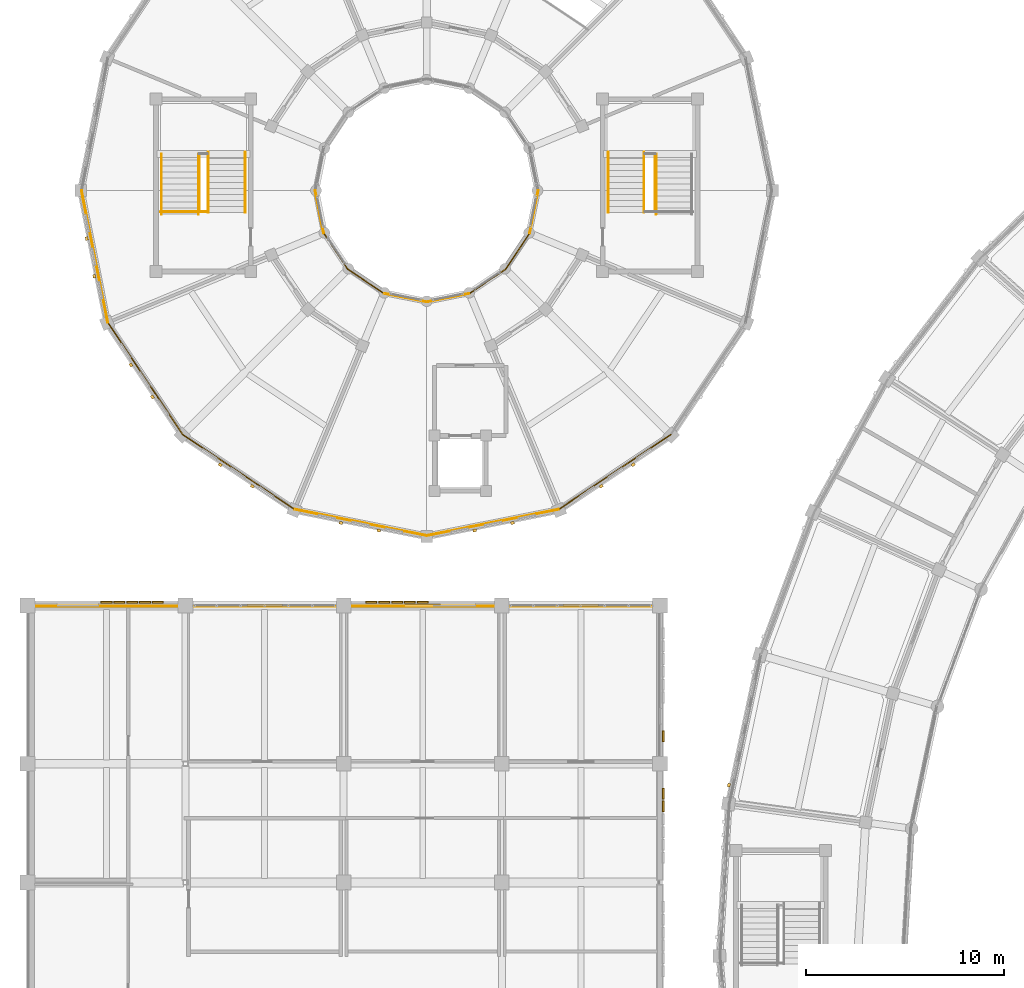
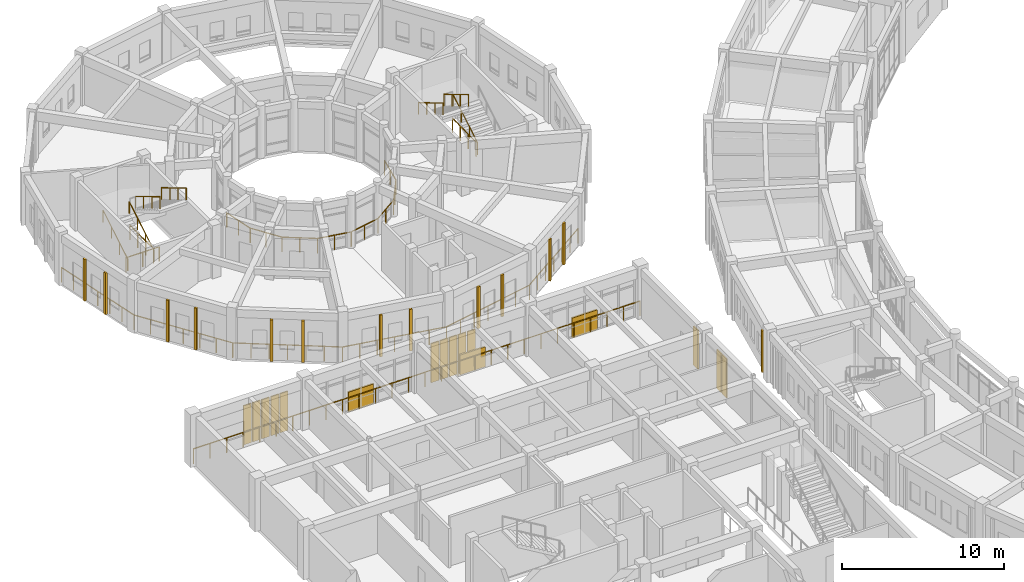
# One storey, part 147 of 159: 25 railings, 16 shading devices, 13 coverings.
"""IFC4 building model written with IfcOpenShell, lengths in metres."""

from ifc_helpers import new_model, si_unit, direction, frame, origin, origin_2d, place, context, subcontext, project, spatial, rectangle, circle, extrude, material, layer, layer_set, type_object, element, save


model = new_model("IFC4")

# Units and contexts
model_context = context("Model", 3, precision=1e-05, world=origin(), true_north=direction((0.0, 1.0)))
body_context = subcontext(model_context, "Body", "Model", "MODEL_VIEW")
ifc_project = project(units=[si_unit("LENGTHUNIT", "METRE"), si_unit("AREAUNIT", "SQUARE_METRE"), si_unit("VOLUMEUNIT", "CUBIC_METRE"), si_unit("PLANEANGLEUNIT", "RADIAN"), si_unit("MASSUNIT", "GRAM", prefix="KILO")], contexts=[model_context])

# Site, building, storey
site_placement = place(None, origin())
site = spatial("IfcSite", under=ifc_project, at=site_placement, CompositionType="ELEMENT")
building_placement = place(site_placement, origin())
building = spatial("IfcBuilding", under=site, at=building_placement, Name="Celadon Cloister-Ring School", CompositionType="ELEMENT")
storey_placement = place(building_placement, frame((0.0, 0.0, 4.5)))
storey = spatial("IfcBuildingStorey", under=building, at=storey_placement, Name="L01", CompositionType="ELEMENT", Elevation=4.5)

# Coverings
ifc_material_1 = material(Name="Perforated terracotta clay brick masonry", Category="masonry")
ifc_layer = layer(ifc_material_1, 0.139892578125)
ifc_layer_set = layer_set([ifc_layer], Name="Perforated terracotta clay brick masonry")
covering_type = type_object("IfcCoveringType", Name="CV-SC1", PredefinedType="CLADDING", material=ifc_layer_set)
for number, where, z_axis, x_axis, name in (
    (1, (35.488037109375, 66.9150390625, 0.0), (0.0, 0.0, 1.0), (0.207075091974, 0.978325051445, 0.0), "Brick Screen Rib 0138"),
    (2, (3.383056640625, 92.660888671875, 0.0), (0.0, 0.0, 1.0), (-0.195141675546, 0.980775064153, 0.0), "Brick Screen Rib 0486"),
    (3, (3.001953125, 94.572998046875, 0.0), (0.0, 0.0, 1.0), (-0.195141675546, 0.980775064153, 0.0), "Brick Screen Rib 0487"),
    (4, (6.323974609375, 86.555908203125, 0.0), (0.0, 0.0, 1.0), (-0.55567181205, 0.831401730389, 0.0), "Brick Screen Rib 0488"),
    (5, (5.239990234375, 88.177001953125, 0.0), (0.0, 0.0, 1.0), (-0.55567181205, 0.831401730389, 0.0), "Brick Screen Rib 0489"),
    (6, (11.376953125, 82.0400390625, 0.0), (0.0, 0.0, 1.0), (-0.831401730389, 0.55567181205, 0.0), "Brick Screen Rib 0490"),
    (7, (9.756103515625, 83.1240234375, 0.0), (0.0, 0.0, 1.0), (-0.831401730389, 0.55567181205, 0.0), "Brick Screen Rib 0491"),
    (8, (17.77294921875, 79.802001953125, 0.0), (0.0, 0.0, 1.0), (-0.980775064153, 0.195141675546, 0.0), "Brick Screen Rib 0492"),
    (9, (15.861083984375, 80.18310546875, 0.0), (0.0, 0.0, 1.0), (-0.980775064153, 0.195141675546, 0.0), "Brick Screen Rib 0493"),
    (10, (24.5390625, 80.18310546875, 0.0), (0.0, 0.0, 1.0), (-0.980775064153, -0.195141675546, 0.0), "Brick Screen Rib 0494"),
    (11, (22.626953125, 79.802001953125, 0.0), (0.0, 0.0, 1.0), (-0.980775064153, -0.195141675546, 0.0), "Brick Screen Rib 0495"),
    (12, (30.64404296875, 83.1240234375, 0.0), (0.0, 0.0, 1.0), (-0.831401730389, -0.55567181205, 0.0), "Brick Screen Rib 0496"),
    (13, (29.02294921875, 82.0400390625, 0.0), (0.0, 0.0, 1.0), (-0.831401730389, -0.55567181205, 0.0), "Brick Screen Rib 0497"),
):
    element("IfcCovering", number, at=place(storey_placement, frame(where, z_axis=z_axis, x_axis=x_axis)), inside=storey, type_object=covering_type, Name=name, PredefinedType="CLADDING", context=body_context, shape_type="SweptSolid", body=[
        extrude(rectangle(XDim=0.179931640625, YDim=0.139892578125, at=origin_2d()), origin(), (0.0, 0.0, 1.0), 3.152099609375),
    ])

# Railings
ifc_material_2 = material(Name="Structural steel S355JR", Category="steel")
railing_type_1 = type_object("IfcRailingType", Name="RL-BL1", PredefinedType="BALUSTRADE", material=ifc_material_2)
railing_1_placement = place(storey_placement, frame((2.739990234375, 97.0, 0.0)))
element("IfcRailing", 14, at=railing_1_placement, inside=storey, type_object=railing_type_1, Name="Terrace Balustrade 0225", PredefinedType="BALUSTRADE", context=body_context, shape_type="SweptSolid", body=[
    extrude(circle(Radius=0.02392578125, at=origin_2d()), frame((0.0, 0.0, 1.09619140625), z_axis=(0.19508919883, -0.980785503818, 0.0), x_axis=(0.980785503818, 0.19508919883, 0.0)), (0.0, 0.0, 1.0), 6.812744140625),
    extrude(circle(Radius=0.02099609375, at=origin_2d()), origin(), (0.0, 0.0, 1.0), 1.072021484375),
    extrude(circle(Radius=0.02099609375, at=origin_2d()), frame((0.221435546875, -1.11376953125, 0.0)), (0.0, 0.0, 1.0), 1.072021484375),
    extrude(circle(Radius=0.02099609375, at=origin_2d()), frame((0.443115234375, -2.227294921875, 0.0)), (0.0, 0.0, 1.0), 1.072021484375),
    extrude(circle(Radius=0.02099609375, at=origin_2d()), frame((0.66455078125, -3.3408203125, 0.0)), (0.0, 0.0, 1.0), 1.072021484375),
    extrude(circle(Radius=0.02099609375, at=origin_2d()), frame((0.885986328125, -4.45458984375, 0.0)), (0.0, 0.0, 1.0), 1.072021484375),
    extrude(circle(Radius=0.02099609375, at=origin_2d()), frame((1.107666015625, -5.568359375, 0.0)), (0.0, 0.0, 1.0), 1.072021484375),
    extrude(circle(Radius=0.02099609375, at=origin_2d()), frame((1.3291015625, -6.681884765625, 0.0)), (0.0, 0.0, 1.0), 1.072021484375),
])
railing_2_placement = place(storey_placement, frame((4.069091796875, 90.318115234375, 0.0)))
element("IfcRailing", 15, at=railing_2_placement, inside=storey, type_object=railing_type_1, Name="Terrace Balustrade 0226", PredefinedType="BALUSTRADE", context=body_context, shape_type="SweptSolid", body=[
    extrude(circle(Radius=0.02392578125, at=origin_2d()), frame((0.0, 0.0, 1.09619140625), z_axis=(0.555601342036, -0.831448825081, 0.0), x_axis=(0.831448825081, 0.555601342036, 0.0)), (0.0, 0.0, 1.0), 6.812255859375),
    extrude(circle(Radius=0.02099609375, at=origin_2d()), origin(), (0.0, 0.0, 1.0), 1.072021484375),
    extrude(circle(Radius=0.02099609375, at=origin_2d()), frame((0.630859375, -0.944091796875, 0.0)), (0.0, 0.0, 1.0), 1.072021484375),
    extrude(circle(Radius=0.02099609375, at=origin_2d()), frame((1.26171875, -1.887939453125, 0.0)), (0.0, 0.0, 1.0), 1.072021484375),
    extrude(circle(Radius=0.02099609375, at=origin_2d()), frame((1.892578125, -2.83203125, 0.0)), (0.0, 0.0, 1.0), 1.072021484375),
    extrude(circle(Radius=0.02099609375, at=origin_2d()), frame((2.523193359375, -3.776123046875, 0.0)), (0.0, 0.0, 1.0), 1.072021484375),
    extrude(circle(Radius=0.02099609375, at=origin_2d()), frame((3.154052734375, -4.719970703125, 0.0)), (0.0, 0.0, 1.0), 1.072021484375),
    extrude(circle(Radius=0.02099609375, at=origin_2d()), frame((3.784912109375, -5.6640625, 0.0)), (0.0, 0.0, 1.0), 1.072021484375),
])
railing_3_placement = place(storey_placement, frame((7.85400390625, 84.654052734375, 0.0)))
element("IfcRailing", 16, at=railing_3_placement, inside=storey, type_object=railing_type_1, Name="Terrace Balustrade 0227", PredefinedType="BALUSTRADE", context=body_context, shape_type="SweptSolid", body=[
    extrude(circle(Radius=0.02392578125, at=origin_2d()), frame((0.0, 0.0, 1.09619140625), z_axis=(0.831432269387, -0.555626116577, 0.0), x_axis=(0.555626116577, 0.831432269387, 0.0)), (0.0, 0.0, 1.0), 6.8125),
    extrude(circle(Radius=0.02099609375, at=origin_2d()), origin(), (0.0, 0.0, 1.0), 1.072021484375),
    extrude(circle(Radius=0.02099609375, at=origin_2d()), frame((0.944091796875, -0.630859375, 0.0)), (0.0, 0.0, 1.0), 1.072021484375),
    extrude(circle(Radius=0.02099609375, at=origin_2d()), frame((1.887939453125, -1.26171875, 0.0)), (0.0, 0.0, 1.0), 1.072021484375),
    extrude(circle(Radius=0.02099609375, at=origin_2d()), frame((2.83203125, -1.892578125, 0.0)), (0.0, 0.0, 1.0), 1.072021484375),
    extrude(circle(Radius=0.02099609375, at=origin_2d()), frame((3.776123046875, -2.5234375, 0.0)), (0.0, 0.0, 1.0), 1.072021484375),
    extrude(circle(Radius=0.02099609375, at=origin_2d()), frame((4.719970703125, -3.154296875, 0.0)), (0.0, 0.0, 1.0), 1.072021484375),
    extrude(circle(Radius=0.02099609375, at=origin_2d()), frame((5.6640625, -3.78515625, 0.0)), (0.0, 0.0, 1.0), 1.072021484375),
])
railing_4_placement = place(storey_placement, frame((13.51806640625, 80.868896484375, 0.0)))
element("IfcRailing", 17, at=railing_4_placement, inside=storey, type_object=railing_type_1, Name="Terrace Balustrade 0228", PredefinedType="BALUSTRADE", context=body_context, shape_type="SweptSolid", body=[
    extrude(circle(Radius=0.02392578125, at=origin_2d()), frame((0.0, 0.0, 1.09619140625), z_axis=(0.980792360074, -0.19505472673, 0.0), x_axis=(0.19505472673, 0.980792360074, 0.0)), (0.0, 0.0, 1.0), 6.812744140625),
    extrude(circle(Radius=0.02099609375, at=origin_2d()), origin(), (0.0, 0.0, 1.0), 1.072021484375),
    extrude(circle(Radius=0.02099609375, at=origin_2d()), frame((1.11376953125, -0.221435546875, 0.0)), (0.0, 0.0, 1.0), 1.072021484375),
    extrude(circle(Radius=0.02099609375, at=origin_2d()), frame((2.227294921875, -0.44287109375, 0.0)), (0.0, 0.0, 1.0), 1.072021484375),
    extrude(circle(Radius=0.02099609375, at=origin_2d()), frame((3.3408203125, -0.66455078125, 0.0)), (0.0, 0.0, 1.0), 1.072021484375),
    extrude(circle(Radius=0.02099609375, at=origin_2d()), frame((4.45458984375, -0.885986328125, 0.0)), (0.0, 0.0, 1.0), 1.072021484375),
    extrude(circle(Radius=0.02099609375, at=origin_2d()), frame((5.568359375, -1.107421875, 0.0)), (0.0, 0.0, 1.0), 1.072021484375),
    extrude(circle(Radius=0.02099609375, at=origin_2d()), frame((6.681884765625, -1.328857421875, 0.0)), (0.0, 0.0, 1.0), 1.072021484375),
])
railing_5_placement = place(storey_placement, frame((20.199951171875, 79.5400390625, 0.0)))
element("IfcRailing", 18, at=railing_5_placement, inside=storey, type_object=railing_type_1, Name="Terrace Balustrade 0229", PredefinedType="BALUSTRADE", context=body_context, shape_type="SweptSolid", body=[
    extrude(circle(Radius=0.02392578125, at=origin_2d()), frame((0.0, 0.0, 1.09619140625), z_axis=(0.980793723427, 0.195047871268, 0.0), x_axis=(-0.195047871268, 0.980793723427, 0.0)), (0.0, 0.0, 1.0), 6.81298828125),
    extrude(circle(Radius=0.02099609375, at=origin_2d()), origin(), (0.0, 0.0, 1.0), 1.072021484375),
    extrude(circle(Radius=0.02099609375, at=origin_2d()), frame((1.11376953125, 0.221435546875, 0.0)), (0.0, 0.0, 1.0), 1.072021484375),
    extrude(circle(Radius=0.02099609375, at=origin_2d()), frame((2.227294921875, 0.44287109375, 0.0)), (0.0, 0.0, 1.0), 1.072021484375),
    extrude(circle(Radius=0.02099609375, at=origin_2d()), frame((3.341064453125, 0.66455078125, 0.0)), (0.0, 0.0, 1.0), 1.072021484375),
    extrude(circle(Radius=0.02099609375, at=origin_2d()), frame((4.454833984375, 0.885986328125, 0.0)), (0.0, 0.0, 1.0), 1.072021484375),
    extrude(circle(Radius=0.02099609375, at=origin_2d()), frame((5.568359375, 1.107421875, 0.0)), (0.0, 0.0, 1.0), 1.072021484375),
    extrude(circle(Radius=0.02099609375, at=origin_2d()), frame((6.68212890625, 1.328857421875, 0.0)), (0.0, 0.0, 1.0), 1.072021484375),
])
railing_6_placement = place(storey_placement, frame((26.882080078125, 80.868896484375, 0.0)))
element("IfcRailing", 19, at=railing_6_placement, inside=storey, type_object=railing_type_1, Name="Terrace Balustrade 0230", PredefinedType="BALUSTRADE", context=body_context, shape_type="SweptSolid", body=[
    extrude(circle(Radius=0.02392578125, at=origin_2d()), frame((0.0, 0.0, 1.09619140625), z_axis=(0.831421205096, 0.555642672693, 0.0), x_axis=(-0.555642672693, 0.831421205096, 0.0)), (0.0, 0.0, 1.0), 6.812255859375),
    extrude(circle(Radius=0.02099609375, at=origin_2d()), origin(), (0.0, 0.0, 1.0), 1.072021484375),
    extrude(circle(Radius=0.02099609375, at=origin_2d()), frame((0.94384765625, 0.630859375, 0.0)), (0.0, 0.0, 1.0), 1.072021484375),
    extrude(circle(Radius=0.02099609375, at=origin_2d()), frame((1.887939453125, 1.26171875, 0.0)), (0.0, 0.0, 1.0), 1.072021484375),
    extrude(circle(Radius=0.02099609375, at=origin_2d()), frame((2.83203125, 1.892578125, 0.0)), (0.0, 0.0, 1.0), 1.072021484375),
    extrude(circle(Radius=0.02099609375, at=origin_2d()), frame((3.77587890625, 2.5234375, 0.0)), (0.0, 0.0, 1.0), 1.072021484375),
    extrude(circle(Radius=0.02099609375, at=origin_2d()), frame((4.7197265625, 3.154296875, 0.0)), (0.0, 0.0, 1.0), 1.072021484375),
    extrude(circle(Radius=0.02099609375, at=origin_2d()), frame((5.663818359375, 3.78515625, 0.0)), (0.0, 0.0, 1.0), 1.072021484375),
])
railing_7_placement = place(storey_placement, frame((14.56005859375, 97.0, 0.0)))
element("IfcRailing", 20, at=railing_7_placement, inside=storey, type_object=railing_type_1, Name="Terrace Balustrade 0241", PredefinedType="BALUSTRADE", context=body_context, shape_type="SweptSolid", body=[
    extrude(circle(Radius=0.02392578125, at=origin_2d()), frame((0.0, 0.0, 1.09619140625), z_axis=(0.194963681655, -0.980810462238, 0.0), x_axis=(0.980810462238, 0.194963681655, 0.0)), (0.0, 0.0, 1.0), 2.2001953125),
    extrude(circle(Radius=0.02099609375, at=origin_2d()), origin(), (0.0, 0.0, 1.0), 1.072021484375),
    extrude(circle(Radius=0.02099609375, at=origin_2d()), frame((0.21435546875, -1.0791015625, 0.0)), (0.0, 0.0, 1.0), 1.072021484375),
    extrude(circle(Radius=0.02099609375, at=origin_2d()), frame((0.428955078125, -2.157958984375, 0.0)), (0.0, 0.0, 1.0), 1.072021484375),
])
railing_8_placement = place(storey_placement, frame((14.989013671875, 94.842041015625, 0.0)))
element("IfcRailing", 21, at=railing_8_placement, inside=storey, type_object=railing_type_1, Name="Terrace Balustrade 0242", PredefinedType="BALUSTRADE", context=body_context, shape_type="SweptSolid", body=[
    extrude(circle(Radius=0.02392578125, at=origin_2d()), frame((0.0, 0.0, 1.09619140625), z_axis=(0.555595762933, -0.831452553193, 0.0), x_axis=(0.831452553193, 0.555595762933, 0.0)), (0.0, 0.0, 1.0), 2.201171875),
    extrude(circle(Radius=0.02099609375, at=origin_2d()), origin(), (0.0, 0.0, 1.0), 1.072021484375),
    extrude(circle(Radius=0.02099609375, at=origin_2d()), frame((0.611328125, -0.9150390625, 0.0)), (0.0, 0.0, 1.0), 1.072021484375),
    extrude(circle(Radius=0.02099609375, at=origin_2d()), frame((1.222900390625, -1.830078125, 0.0)), (0.0, 0.0, 1.0), 1.072021484375),
])
railing_9_placement = place(storey_placement, frame((16.2119140625, 93.011962890625, 0.0)))
element("IfcRailing", 22, at=railing_9_placement, inside=storey, type_object=railing_type_1, Name="Terrace Balustrade 0243", PredefinedType="BALUSTRADE", context=body_context, shape_type="SweptSolid", body=[
    extrude(circle(Radius=0.02392578125, at=origin_2d()), frame((0.0, 0.0, 1.09619140625), z_axis=(0.831452553193, -0.555595762933, 0.0), x_axis=(0.555595762933, 0.831452553193, 0.0)), (0.0, 0.0, 1.0), 2.201171875),
    extrude(circle(Radius=0.02099609375, at=origin_2d()), origin(), (0.0, 0.0, 1.0), 1.072021484375),
    extrude(circle(Radius=0.02099609375, at=origin_2d()), frame((0.9150390625, -0.611328125, 0.0)), (0.0, 0.0, 1.0), 1.072021484375),
    extrude(circle(Radius=0.02099609375, at=origin_2d()), frame((1.830078125, -1.222900390625, 0.0)), (0.0, 0.0, 1.0), 1.072021484375),
])
railing_10_placement = place(storey_placement, frame((18.0419921875, 91.7890625, 0.0)))
element("IfcRailing", 23, at=railing_10_placement, inside=storey, type_object=railing_type_1, Name="Terrace Balustrade 0244", PredefinedType="BALUSTRADE", context=body_context, shape_type="SweptSolid", body=[
    extrude(circle(Radius=0.02392578125, at=origin_2d()), frame((0.0, 0.0, 1.09619140625), z_axis=(0.980810462238, -0.194963681655, 0.0), x_axis=(0.194963681655, 0.980810462238, 0.0)), (0.0, 0.0, 1.0), 2.2001953125),
    extrude(circle(Radius=0.02099609375, at=origin_2d()), origin(), (0.0, 0.0, 1.0), 1.072021484375),
    extrude(circle(Radius=0.02099609375, at=origin_2d()), frame((1.0791015625, -0.21435546875, 0.0)), (0.0, 0.0, 1.0), 1.072021484375),
    extrude(circle(Radius=0.02099609375, at=origin_2d()), frame((2.157958984375, -0.428955078125, 0.0)), (0.0, 0.0, 1.0), 1.072021484375),
])
railing_11_placement = place(storey_placement, frame((20.199951171875, 91.360107421875, 0.0)))
element("IfcRailing", 24, at=railing_11_placement, inside=storey, type_object=railing_type_1, Name="Terrace Balustrade 0245", PredefinedType="BALUSTRADE", context=body_context, shape_type="SweptSolid", body=[
    extrude(circle(Radius=0.02392578125, at=origin_2d()), frame((0.0, 0.0, 1.09619140625), z_axis=(0.980810462238, 0.194963681655, 0.0), x_axis=(-0.194963681655, 0.980810462238, 0.0)), (0.0, 0.0, 1.0), 2.2001953125),
    extrude(circle(Radius=0.02099609375, at=origin_2d()), origin(), (0.0, 0.0, 1.0), 1.072021484375),
    extrude(circle(Radius=0.02099609375, at=origin_2d()), frame((1.0791015625, 0.21435546875, 0.0)), (0.0, 0.0, 1.0), 1.072021484375),
    extrude(circle(Radius=0.02099609375, at=origin_2d()), frame((2.157958984375, 0.428955078125, 0.0)), (0.0, 0.0, 1.0), 1.072021484375),
])
railing_12_placement = place(storey_placement, frame((22.35791015625, 91.7890625, 0.0)))
element("IfcRailing", 25, at=railing_12_placement, inside=storey, type_object=railing_type_1, Name="Terrace Balustrade 0246", PredefinedType="BALUSTRADE", context=body_context, shape_type="SweptSolid", body=[
    extrude(circle(Radius=0.02392578125, at=origin_2d()), frame((0.0, 0.0, 1.09619140625), z_axis=(0.831452553193, 0.555595762933, 0.0), x_axis=(-0.555595762933, 0.831452553193, 0.0)), (0.0, 0.0, 1.0), 2.201171875),
    extrude(circle(Radius=0.02099609375, at=origin_2d()), origin(), (0.0, 0.0, 1.0), 1.072021484375),
    extrude(circle(Radius=0.02099609375, at=origin_2d()), frame((0.9150390625, 0.611328125, 0.0)), (0.0, 0.0, 1.0), 1.072021484375),
    extrude(circle(Radius=0.02099609375, at=origin_2d()), frame((1.830078125, 1.222900390625, 0.0)), (0.0, 0.0, 1.0), 1.072021484375),
])
railing_13_placement = place(storey_placement, frame((24.18798828125, 93.011962890625, 0.0)))
element("IfcRailing", 26, at=railing_13_placement, inside=storey, type_object=railing_type_1, Name="Terrace Balustrade 0247", PredefinedType="BALUSTRADE", context=body_context, shape_type="SweptSolid", body=[
    extrude(circle(Radius=0.02392578125, at=origin_2d()), frame((0.0, 0.0, 1.09619140625), z_axis=(0.555595762933, 0.831452553193, 0.0), x_axis=(-0.831452553193, 0.555595762933, 0.0)), (0.0, 0.0, 1.0), 2.201171875),
    extrude(circle(Radius=0.02099609375, at=origin_2d()), origin(), (0.0, 0.0, 1.0), 1.072021484375),
    extrude(circle(Radius=0.02099609375, at=origin_2d()), frame((0.611328125, 0.9150390625, 0.0)), (0.0, 0.0, 1.0), 1.072021484375),
    extrude(circle(Radius=0.02099609375, at=origin_2d()), frame((1.222900390625, 1.830078125, 0.0)), (0.0, 0.0, 1.0), 1.072021484375),
])
railing_14_placement = place(storey_placement, frame((25.410888671875, 94.842041015625, 0.0)))
element("IfcRailing", 27, at=railing_14_placement, inside=storey, type_object=railing_type_1, Name="Terrace Balustrade 0248", PredefinedType="BALUSTRADE", context=body_context, shape_type="SweptSolid", body=[
    extrude(circle(Radius=0.02392578125, at=origin_2d()), frame((0.0, 0.0, 1.09619140625), z_axis=(0.19507042432, 0.980789238091, 0.0), x_axis=(-0.980789238091, 0.19507042432, 0.0)), (0.0, 0.0, 1.0), 2.2001953125),
    extrude(circle(Radius=0.02099609375, at=origin_2d()), origin(), (0.0, 0.0, 1.0), 1.072021484375),
    extrude(circle(Radius=0.02099609375, at=origin_2d()), frame((0.214599609375, 1.0791015625, 0.0)), (0.0, 0.0, 1.0), 1.072021484375),
    extrude(circle(Radius=0.02099609375, at=origin_2d()), frame((0.42919921875, 2.157958984375, 0.0)), (0.0, 0.0, 1.0), 1.072021484375),
])
railing_15_placement = place(storey_placement, frame((31.9599609375, 75.9599609375, 0.0)))
element("IfcRailing", 28, at=railing_15_placement, inside=storey, type_object=railing_type_1, Name="Terrace Balustrade 0446", PredefinedType="BALUSTRADE", context=body_context, shape_type="SweptSolid", body=[
    extrude(circle(Radius=0.02392578125, at=origin_2d()), frame((0.0, 0.0, 1.09619140625), z_axis=(-1.0, 0.0, 0.0), x_axis=(0.0, -1.0, 0.0)), (0.0, 0.0, 1.0), 31.919921875),
    extrude(circle(Radius=0.02099609375, at=origin_2d()), origin(), (0.0, 0.0, 1.0), 1.072021484375),
    extrude(circle(Radius=0.02099609375, at=origin_2d()), frame((-1.18212890625, 0.0, 0.0)), (0.0, 0.0, 1.0), 1.072021484375),
    extrude(circle(Radius=0.02099609375, at=origin_2d()), frame((-2.364501953125, 0.0, 0.0)), (0.0, 0.0, 1.0), 1.072021484375),
    extrude(circle(Radius=0.02099609375, at=origin_2d()), frame((-3.546630859375, 0.0, 0.0)), (0.0, 0.0, 1.0), 1.072021484375),
    extrude(circle(Radius=0.02099609375, at=origin_2d()), frame((-4.728759765625, 0.0, 0.0)), (0.0, 0.0, 1.0), 1.072021484375),
    extrude(circle(Radius=0.02099609375, at=origin_2d()), frame((-5.9111328125, 0.0, 0.0)), (0.0, 0.0, 1.0), 1.072021484375),
    extrude(circle(Radius=0.02099609375, at=origin_2d()), frame((-7.09326171875, 0.0, 0.0)), (0.0, 0.0, 1.0), 1.072021484375),
    extrude(circle(Radius=0.02099609375, at=origin_2d()), frame((-8.275634765625, 0.0, 0.0)), (0.0, 0.0, 1.0), 1.072021484375),
    extrude(circle(Radius=0.02099609375, at=origin_2d()), frame((-9.457763671875, 0.0, 0.0)), (0.0, 0.0, 1.0), 1.072021484375),
    extrude(circle(Radius=0.02099609375, at=origin_2d()), frame((-10.639892578125, 0.0, 0.0)), (0.0, 0.0, 1.0), 1.072021484375),
    extrude(circle(Radius=0.02099609375, at=origin_2d()), frame((-11.822265625, 0.0, 0.0)), (0.0, 0.0, 1.0), 1.072021484375),
    extrude(circle(Radius=0.02099609375, at=origin_2d()), frame((-13.00439453125, 0.0, 0.0)), (0.0, 0.0, 1.0), 1.072021484375),
    extrude(circle(Radius=0.02099609375, at=origin_2d()), frame((-14.1865234375, 0.0, 0.0)), (0.0, 0.0, 1.0), 1.072021484375),
    extrude(circle(Radius=0.02099609375, at=origin_2d()), frame((-15.368896484375, 0.0, 0.0)), (0.0, 0.0, 1.0), 1.072021484375),
    extrude(circle(Radius=0.02099609375, at=origin_2d()), frame((-16.551025390625, 0.0, 0.0)), (0.0, 0.0, 1.0), 1.072021484375),
    extrude(circle(Radius=0.02099609375, at=origin_2d()), frame((-17.7333984375, 0.0, 0.0)), (0.0, 0.0, 1.0), 1.072021484375),
    extrude(circle(Radius=0.02099609375, at=origin_2d()), frame((-18.91552734375, 0.0, 0.0)), (0.0, 0.0, 1.0), 1.072021484375),
    extrude(circle(Radius=0.02099609375, at=origin_2d()), frame((-20.09765625, 0.0, 0.0)), (0.0, 0.0, 1.0), 1.072021484375),
    extrude(circle(Radius=0.02099609375, at=origin_2d()), frame((-21.280029296875, 0.0, 0.0)), (0.0, 0.0, 1.0), 1.072021484375),
    extrude(circle(Radius=0.02099609375, at=origin_2d()), frame((-22.462158203125, 0.0, 0.0)), (0.0, 0.0, 1.0), 1.072021484375),
    extrude(circle(Radius=0.02099609375, at=origin_2d()), frame((-23.644287109375, 0.0, 0.0)), (0.0, 0.0, 1.0), 1.072021484375),
    extrude(circle(Radius=0.02099609375, at=origin_2d()), frame((-24.82666015625, 0.0, 0.0)), (0.0, 0.0, 1.0), 1.072021484375),
    extrude(circle(Radius=0.02099609375, at=origin_2d()), frame((-26.0087890625, 0.0, 0.0)), (0.0, 0.0, 1.0), 1.072021484375),
    extrude(circle(Radius=0.02099609375, at=origin_2d()), frame((-27.191162109375, 0.0, 0.0)), (0.0, 0.0, 1.0), 1.072021484375),
    extrude(circle(Radius=0.02099609375, at=origin_2d()), frame((-28.373291015625, 0.0, 0.0)), (0.0, 0.0, 1.0), 1.072021484375),
    extrude(circle(Radius=0.02099609375, at=origin_2d()), frame((-29.555419921875, 0.0, 0.0)), (0.0, 0.0, 1.0), 1.072021484375),
    extrude(circle(Radius=0.02099609375, at=origin_2d()), frame((-30.73779296875, 0.0, 0.0)), (0.0, 0.0, 1.0), 1.072021484375),
    extrude(circle(Radius=0.02099609375, at=origin_2d()), frame((-31.919921875, 0.0, 0.0)), (0.0, 0.0, 1.0), 1.072021484375),
])
ifc_material_3 = material(Name="Structural steel S355JR", Category="steel")
railing_type_2 = type_object("IfcRailingType", Name="RL-BL2", PredefinedType="BALUSTRADE", material=ifc_material_3)
railing_16_placement = place(storey_placement, frame((6.739990234375, 95.9150390625, 0.0)))
element("IfcRailing", 29, at=railing_16_placement, inside=storey, type_object=railing_type_2, Name="Interior Guard 0123", PredefinedType="BALUSTRADE", context=body_context, shape_type="SweptSolid", body=[
    extrude(circle(Radius=0.02392578125, at=origin_2d()), frame((0.0, 0.0, 1.09619140625), z_axis=(1.0, 0.0, 0.0), x_axis=(0.0, 1.0, 0.0)), (0.0, 0.0, 1.0), 2.360107421875),
    extrude(circle(Radius=0.02099609375, at=origin_2d()), origin(), (0.0, 0.0, 1.0), 1.072021484375),
    extrude(circle(Radius=0.02099609375, at=origin_2d()), frame((1.18017578125, 0.0, 0.0)), (0.0, 0.0, 1.0), 1.072021484375),
    extrude(circle(Radius=0.02099609375, at=origin_2d()), frame((2.360107421875, 0.0, 0.0)), (0.0, 0.0, 1.0), 1.072021484375),
])
for number, where, name in (
    (30, (8.699951171875, 95.9150390625, 0.0), "Interior Guard 0124"),
    (31, (31.760009765625, 95.9150390625, 0.0), "Interior Guard 0145"),
):
    element("IfcRailing", number, at=place(storey_placement, frame(where)), inside=storey, type_object=railing_type_2, Name=name, PredefinedType="BALUSTRADE", context=body_context, shape_type="SweptSolid", body=[
        extrude(circle(Radius=0.02392578125, at=origin_2d()), frame((0.0, 0.0, 1.09619140625), z_axis=(0.0, 1.0, 0.0), x_axis=(-1.0, 0.0, 0.0)), (0.0, 0.0, 1.0), 2.93505859375),
        extrude(circle(Radius=0.02099609375, at=origin_2d()), origin(), (0.0, 0.0, 1.0), 1.072021484375),
        extrude(circle(Radius=0.02099609375, at=origin_2d()), frame((0.0, 0.978271484375, 0.0)), (0.0, 0.0, 1.0), 1.072021484375),
        extrude(circle(Radius=0.02099609375, at=origin_2d()), frame((0.0, 1.956787109375, 0.0)), (0.0, 0.0, 1.0), 1.072021484375),
        extrude(circle(Radius=0.02099609375, at=origin_2d()), frame((0.0, 2.93505859375, 0.0)), (0.0, 0.0, 1.0), 1.072021484375),
    ])
ifc_material_4 = material(Name="Structural steel S355JR", Category="steel")
railing_type_3 = type_object("IfcRailingType", Name="RL-HR1", PredefinedType="HANDRAIL", material=ifc_material_4)
for number, where, name in (
    (32, (8.655029296875, 95.800048828125, 0.181884765625), "Stair Handrail 0118"),
    (33, (6.784912109375, 95.800048828125, 0.181884765625), "Stair Handrail 0119"),
):
    element("IfcRailing", number, at=place(storey_placement, frame(where)), inside=storey, type_object=railing_type_3, Name=name, PredefinedType="HANDRAIL", context=body_context, shape_type="SweptSolid", body=[
        extrude(circle(Radius=0.02099609375, at=origin_2d()), frame((0.0, 0.0, 0.87890625), z_axis=(0.0, 0.858969654429, 0.51202649616), x_axis=(-1.0, 0.0, 0.0)), (0.0, 0.0, 1.0), 3.55078125),
        extrude(circle(Radius=0.01806640625, at=origin_2d()), origin(), (0.0, 0.0, 1.0), 0.85791015625),
        extrude(circle(Radius=0.01806640625, at=origin_2d()), frame((0.0, 1.0166015625, 0.60595703125)), (0.0, 0.0, 1.0), 0.85791015625),
        extrude(circle(Radius=0.01806640625, at=origin_2d()), frame((0.0, 2.033447265625, 1.212158203125)), (0.0, 0.0, 1.0), 0.85791015625),
        extrude(circle(Radius=0.01806640625, at=origin_2d()), frame((0.0, 3.050048828125, 1.818115234375)), (0.0, 0.0, 1.0), 0.85791015625),
    ])
for number, where, name in (
    (34, (9.14501953125, 98.929931640625, 2.181884765625), "Stair Handrail 0120"),
    (35, (11.014892578125, 98.929931640625, 2.181884765625), "Stair Handrail 0121"),
):
    element("IfcRailing", number, at=place(storey_placement, frame(where)), inside=storey, type_object=railing_type_3, Name=name, PredefinedType="HANDRAIL", context=body_context, shape_type="SweptSolid", body=[
        extrude(circle(Radius=0.02099609375, at=origin_2d()), frame((0.0, 0.0, 0.87890625), z_axis=(0.0, -0.858969654429, 0.51202649616), x_axis=(1.0, 0.0, 0.0)), (0.0, 0.0, 1.0), 3.55078125),
        extrude(circle(Radius=0.01806640625, at=origin_2d()), origin(), (0.0, 0.0, 1.0), 0.85791015625),
        extrude(circle(Radius=0.01806640625, at=origin_2d()), frame((0.0, -1.0166015625, 0.60595703125)), (0.0, 0.0, 1.0), 0.85791015625),
        extrude(circle(Radius=0.01806640625, at=origin_2d()), frame((0.0, -2.033447265625, 1.212158203125)), (0.0, 0.0, 1.0), 0.85791015625),
        extrude(circle(Radius=0.01806640625, at=origin_2d()), frame((0.0, -3.050048828125, 1.818115234375)), (0.0, 0.0, 1.0), 0.85791015625),
    ])
railing_17_placement = place(storey_placement, frame((31.804931640625, 95.800048828125, 0.181884765625)))
element("IfcRailing", 36, at=railing_17_placement, inside=storey, type_object=railing_type_3, Name="Stair Handrail 0140", PredefinedType="HANDRAIL", context=body_context, shape_type="SweptSolid", body=[
    extrude(circle(Radius=0.02099609375, at=origin_2d()), frame((0.0, 0.0, 0.87890625), z_axis=(0.0, 0.858969654429, 0.51202649616), x_axis=(-1.0, 0.0, 0.0)), (0.0, 0.0, 1.0), 3.55078125),
    extrude(circle(Radius=0.01806640625, at=origin_2d()), origin(), (0.0, 0.0, 1.0), 0.85791015625),
    extrude(circle(Radius=0.01806640625, at=origin_2d()), frame((0.0, 1.0166015625, 0.60595703125)), (0.0, 0.0, 1.0), 0.85791015625),
    extrude(circle(Radius=0.01806640625, at=origin_2d()), frame((0.0, 2.033447265625, 1.212158203125)), (0.0, 0.0, 1.0), 0.85791015625),
    extrude(circle(Radius=0.01806640625, at=origin_2d()), frame((0.0, 3.050048828125, 1.818115234375)), (0.0, 0.0, 1.0), 0.85791015625),
])
for number, where, name in (
    (37, (29.385009765625, 98.929931640625, 2.181884765625), "Stair Handrail 0141"),
    (38, (31.195068359375, 98.929931640625, 2.181884765625), "Stair Handrail 0142"),
):
    element("IfcRailing", number, at=place(storey_placement, frame(where)), inside=storey, type_object=railing_type_3, Name=name, PredefinedType="HANDRAIL", context=body_context, shape_type="SweptSolid", body=[
        extrude(circle(Radius=0.02099609375, at=origin_2d()), frame((0.0, 0.0, 0.87890625), z_axis=(0.0, -0.858969654429, 0.51202649616), x_axis=(1.0, 0.0, 0.0)), (0.0, 0.0, 1.0), 3.55078125),
        extrude(circle(Radius=0.01806640625, at=origin_2d()), origin(), (0.0, 0.0, 1.0), 0.85791015625),
        extrude(circle(Radius=0.01806640625, at=origin_2d()), frame((0.0, -1.0166015625, 0.60595703125)), (0.0, 0.0, 1.0), 0.85791015625),
        extrude(circle(Radius=0.01806640625, at=origin_2d()), frame((0.0, -2.033447265625, 1.212158203125)), (0.0, 0.0, 1.0), 0.85791015625),
        extrude(circle(Radius=0.01806640625, at=origin_2d()), frame((0.0, -3.050048828125, 1.818115234375)), (0.0, 0.0, 1.0), 0.85791015625),
    ])

# Shading devices
ifc_material_5 = material(Name="Glazed celadon architectural terracotta", Category="masonry")
shading_device_type_1 = type_object("IfcShadingDeviceType", Name="SD-01", PredefinedType="USERDEFINED", material=ifc_material_5)
for number, where, z_axis, x_axis, name in (
    (39, (4.0, 76.172119140625, 0.0), (0.0, 0.0, 1.0), (1.0, 0.0, 0.0), "Celadon Sunshade Screen 0108"),
    (40, (4.64990234375, 76.172119140625, 0.0), (0.0, 0.0, 1.0), (1.0, 0.0, 0.0), "Celadon Sunshade Screen 0109"),
    (41, (5.300048828125, 76.172119140625, 0.0), (0.0, 0.0, 1.0), (1.0, 0.0, 0.0), "Celadon Sunshade Screen 0110"),
    (42, (5.949951171875, 76.172119140625, 0.0), (0.0, 0.0, 1.0), (1.0, 0.0, 0.0), "Celadon Sunshade Screen 0111"),
    (43, (6.60009765625, 76.172119140625, 0.0), (0.0, 0.0, 1.0), (1.0, 0.0, 0.0), "Celadon Sunshade Screen 0112"),
    (44, (17.39990234375, 76.172119140625, 0.0), (0.0, 0.0, 1.0), (1.0, 0.0, 0.0), "Celadon Sunshade Screen 0113"),
    (45, (18.050048828125, 76.172119140625, 0.0), (0.0, 0.0, 1.0), (1.0, 0.0, 0.0), "Celadon Sunshade Screen 0114"),
    (46, (18.699951171875, 76.172119140625, 0.0), (0.0, 0.0, 1.0), (1.0, 0.0, 0.0), "Celadon Sunshade Screen 0115"),
    (47, (19.35009765625, 76.172119140625, 0.0), (0.0, 0.0, 1.0), (1.0, 0.0, 0.0), "Celadon Sunshade Screen 0116"),
    (48, (20.0, 76.172119140625, 0.0), (0.0, 0.0, 1.0), (1.0, 0.0, 0.0), "Celadon Sunshade Screen 0117"),
    (49, (32.172119140625, 69.39990234375, 0.0), (0.0, 0.0, 1.0), (0.0, -1.0, 0.0), "Celadon Sunshade Screen 0124"),
    (50, (32.172119140625, 66.492919921875, 0.0), (0.0, 0.0, 1.0), (0.0, -1.0, 0.0), "Celadon Sunshade Screen 0125"),
    (51, (32.172119140625, 65.843017578125, 0.0), (0.0, 0.0, 1.0), (0.0, -1.0, 0.0), "Celadon Sunshade Screen 0126"),
):
    element("IfcShadingDevice", number, at=place(storey_placement, frame(where, z_axis=z_axis, x_axis=x_axis)), inside=storey, type_object=shading_device_type_1, Name=name, ObjectType="SUNSHADE", PredefinedType="USERDEFINED", context=body_context, shape_type="SweptSolid", body=[
        extrude(rectangle(XDim=0.56005859375, YDim=0.090087890625, at=origin_2d()), origin(), (0.0, 0.0, 1.0), 2.949951171875),
    ])
ifc_material_6 = material(Name="Glazed celadon architectural terracotta", Category="masonry")
shading_device_type_2 = type_object("IfcShadingDeviceType", Name="SD-03", PredefinedType="JALOUSIE", material=ifc_material_6)
for number, where, z_axis, x_axis, name in (
    (52, (12.0, 76.02001953125, 0.0), (0.0, 0.0, 1.0), (1.0, 0.0, 0.0), "Ventanilla Jalousie Screen 01"),
    (53, (20.0, 76.02001953125, 0.0), (0.0, 0.0, 1.0), (1.0, 0.0, 0.0), "Ventanilla Jalousie Screen 02"),
    (54, (28.0, 76.02001953125, 0.0), (0.0, 0.0, 1.0), (1.0, 0.0, 0.0), "Ventanilla Jalousie Screen 03"),
):
    element("IfcShadingDevice", number, at=place(storey_placement, frame(where, z_axis=z_axis, x_axis=x_axis)), inside=storey, type_object=shading_device_type_2, Name=name, PredefinedType="JALOUSIE", context=body_context, shape_type="SweptSolid", body=[
        extrude(rectangle(XDim=1.800048828125, YDim=0.1201171875, at=origin_2d()), origin(), (0.0, 0.0, 1.0), 1.5),
    ])

save(model, "model.ifc")
